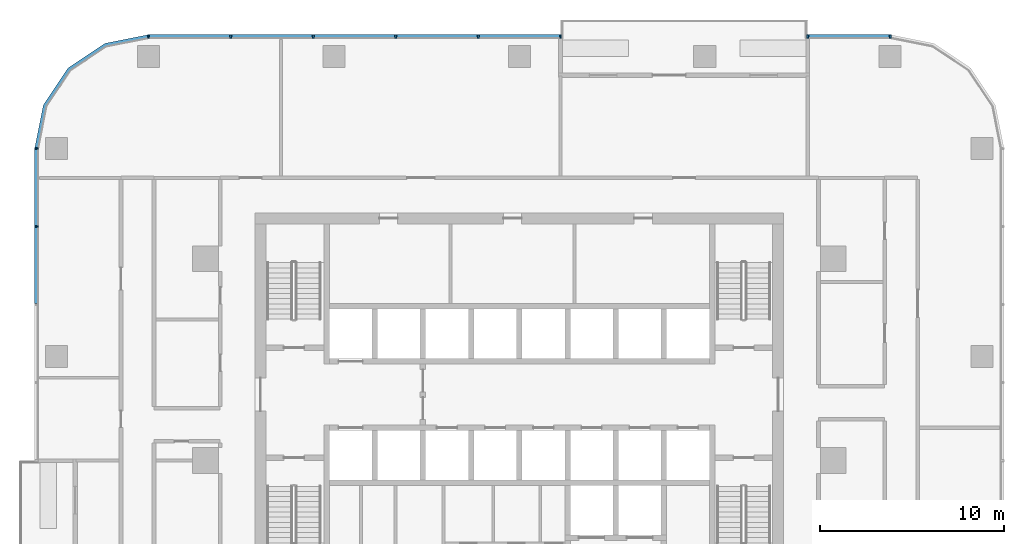
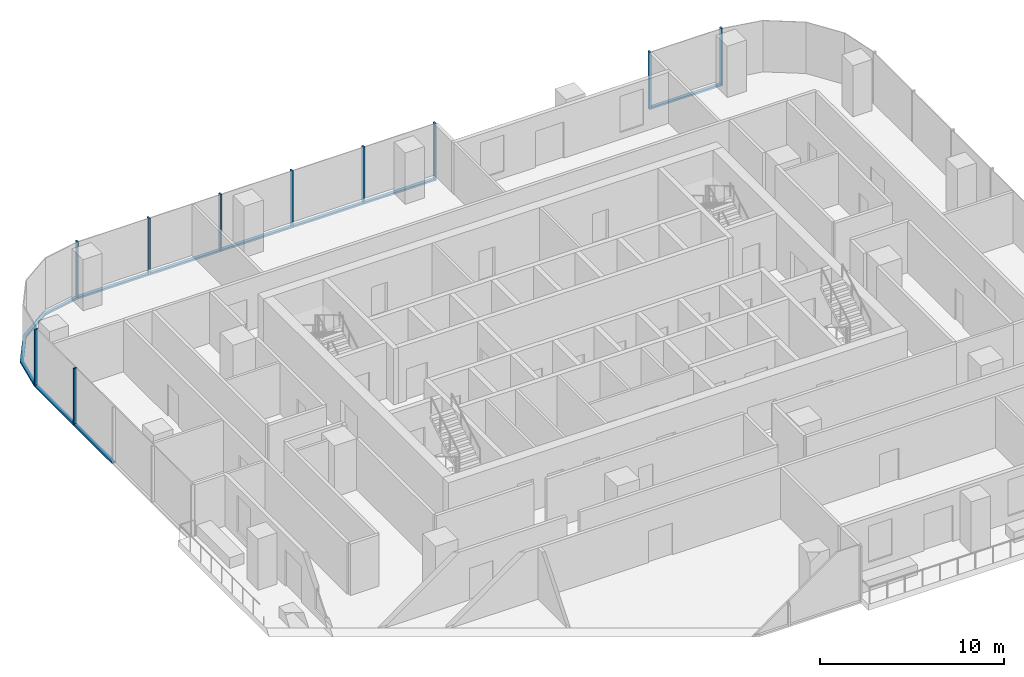
# One storey, part 4 of 14: 19 members, 4 elements without a shape of their own.
"""IFC4 building model written with IfcOpenShell, lengths in metres."""

from ifc_helpers import new_model, si_unit, direction, frame, origin, origin_2d, place, context, subcontext, project, spatial, polyline, rectangle, outline, extrude, material, material_profile, profile_set, type_object, element, aggregate, save


model = new_model("IFC4")

# Units and contexts
model_context = context("Model", 3, precision=1e-05, world=origin(), true_north=direction((0.0, 1.0)))
body_context = subcontext(model_context, "Body", "Model", "MODEL_VIEW")
ifc_project = project(units=[si_unit("LENGTHUNIT", "METRE"), si_unit("AREAUNIT", "SQUARE_METRE"), si_unit("VOLUMEUNIT", "CUBIC_METRE"), si_unit("PLANEANGLEUNIT", "RADIAN"), si_unit("MASSUNIT", "GRAM", prefix="KILO")], contexts=[model_context])

# Site, building, storey
site_placement = place(None, origin())
site = spatial("IfcSite", under=ifc_project, at=site_placement, CompositionType="ELEMENT")
building_placement = place(site_placement, origin())
building = spatial("IfcBuilding", under=site, at=building_placement, Name="Mopane Tessera Tower", CompositionType="ELEMENT")
storey_placement = place(building_placement, frame((0.0, 0.0, 201.0)))
storey = spatial("IfcBuildingStorey", under=building, at=storey_placement, Name="L42", CompositionType="ELEMENT", Elevation=201.0)

# Curtain wall, members
ifc_material_1 = material(Name="Aluminium frame", Category="aluminium")
curtain_wall_type = type_object("IfcCurtainWallType", Name="Unitised curtain wall", PredefinedType="NOTDEFINED", material=ifc_material_1)
curtain_wall_1_placement = place(storey_placement, origin())
curtain_wall_1 = element("IfcCurtainWall", 1, at=curtain_wall_1_placement, inside=storey, type_object=curtain_wall_type, Name="e:cw:L42:N:0", PredefinedType="NOTDEFINED")
ifc_material_2 = material(Name="Aluminium frame", Category="aluminium")
ifc_material_profile_1 = material_profile(ifc_material_2, rectangle(XDim=0.10009765625, YDim=0.199951171875, at=origin_2d()))
ifc_profile_set_1 = profile_set([ifc_material_profile_1], Name="Aluminium frame")
member_type_1 = type_object("IfcMemberType", Name="Aluminium mullion 100 x 200", PredefinedType="MULLION", material=ifc_profile_set_1)
member_1_placement = place(storey_placement, frame((20.199951171875, 23.10009765625, -0.39990234375), z_axis=(0.0, 0.0, 1.0), x_axis=(-1.0, 0.0, 0.0)))
member_1 = element("IfcMember", 2, at=member_1_placement, type_object=member_type_1, Name="e:cw:L42:N:0:mu0", PredefinedType="MULLION", context=body_context, shape_type="SweptSolid", body=[
    extrude(rectangle(XDim=0.10009765625, YDim=0.199951171875, at=origin_2d()), origin(), (0.0, 0.0, 1.0), 3.7998046875),
])
member_2_placement = place(storey_placement, frame((15.711181640625, 23.10009765625, -0.39990234375), z_axis=(0.0, 0.0, 1.0), x_axis=(-1.0, 0.0, 0.0)))
member_2 = element("IfcMember", 3, at=member_2_placement, type_object=member_type_1, Name="e:cw:L42:N:0:mu1", PredefinedType="MULLION", context=body_context, shape_type="SweptSolid", body=[
    extrude(rectangle(XDim=0.10009765625, YDim=0.199951171875, at=origin_2d()), origin(), (0.0, 0.0, 1.0), 3.7998046875),
])

curtain_wall_2_placement = place(storey_placement, origin())
curtain_wall_2 = element("IfcCurtainWall", 4, at=curtain_wall_2_placement, inside=storey, type_object=curtain_wall_type, Name="e:cw:L42:N:4", PredefinedType="NOTDEFINED")
member_3_placement = place(storey_placement, frame((2.244384765625, 23.10009765625, -0.39990234375), z_axis=(0.0, 0.0, 1.0), x_axis=(-1.0, 0.0, 0.0)))
member_3 = element("IfcMember", 5, at=member_3_placement, type_object=member_type_1, Name="e:cw:L42:N:4:mu4", PredefinedType="MULLION", context=body_context, shape_type="SweptSolid", body=[
    extrude(rectangle(XDim=0.10009765625, YDim=0.199951171875, at=origin_2d()), origin(), (0.0, 0.0, 1.0), 3.7998046875),
])
member_4_placement = place(storey_placement, frame((-2.244384765625, 23.10009765625, -0.39990234375), z_axis=(0.0, 0.0, 1.0), x_axis=(-1.0, 0.0, 0.0)))
member_4 = element("IfcMember", 6, at=member_4_placement, type_object=member_type_1, Name="e:cw:L42:N:4:mu5", PredefinedType="MULLION", context=body_context, shape_type="SweptSolid", body=[
    extrude(rectangle(XDim=0.10009765625, YDim=0.199951171875, at=origin_2d()), origin(), (0.0, 0.0, 1.0), 3.7998046875),
])
member_5_placement = place(storey_placement, frame((-6.7333984375, 23.10009765625, -0.39990234375), z_axis=(0.0, 0.0, 1.0), x_axis=(-1.0, 0.0, 0.0)))
member_5 = element("IfcMember", 7, at=member_5_placement, type_object=member_type_1, Name="e:cw:L42:N:4:mu6", PredefinedType="MULLION", context=body_context, shape_type="SweptSolid", body=[
    extrude(rectangle(XDim=0.10009765625, YDim=0.199951171875, at=origin_2d()), origin(), (0.0, 0.0, 1.0), 3.7998046875),
])
member_6_placement = place(storey_placement, frame((-11.22216796875, 23.10009765625, -0.39990234375), z_axis=(0.0, 0.0, 1.0), x_axis=(-1.0, 0.0, 0.0)))
member_6 = element("IfcMember", 8, at=member_6_placement, type_object=member_type_1, Name="e:cw:L42:N:4:mu7", PredefinedType="MULLION", context=body_context, shape_type="SweptSolid", body=[
    extrude(rectangle(XDim=0.10009765625, YDim=0.199951171875, at=origin_2d()), origin(), (0.0, 0.0, 1.0), 3.7998046875),
])
member_7_placement = place(storey_placement, frame((-15.711181640625, 23.10009765625, -0.39990234375), z_axis=(0.0, 0.0, 1.0), x_axis=(-1.0, 0.0, 0.0)))
member_7 = element("IfcMember", 9, at=member_7_placement, type_object=member_type_1, Name="e:cw:L42:N:4:mu8", PredefinedType="MULLION", context=body_context, shape_type="SweptSolid", body=[
    extrude(rectangle(XDim=0.10009765625, YDim=0.199951171875, at=origin_2d()), origin(), (0.0, 0.0, 1.0), 3.7998046875),
])
member_8_placement = place(storey_placement, frame((-20.199951171875, 23.10009765625, -0.39990234375), z_axis=(0.0, 0.0, 1.0), x_axis=(-1.0, 0.0, 0.0)))
member_8 = element("IfcMember", 10, at=member_8_placement, type_object=member_type_1, Name="e:cw:L42:N:4:mu9", PredefinedType="MULLION", context=body_context, shape_type="SweptSolid", body=[
    extrude(rectangle(XDim=0.10009765625, YDim=0.199951171875, at=origin_2d()), origin(), (0.0, 0.0, 1.0), 3.7998046875),
])

curtain_wall_3_placement = place(storey_placement, origin())
curtain_wall_3 = element("IfcCurtainWall", 11, at=curtain_wall_3_placement, inside=storey, type_object=curtain_wall_type, Name="e:cw:L42:W:0", PredefinedType="NOTDEFINED")
member_9_placement = place(storey_placement, frame((-26.300048828125, 17.0, -0.39990234375), z_axis=(0.0, 0.0, 1.0), x_axis=(0.0, -1.0, 0.0)))
member_9 = element("IfcMember", 12, at=member_9_placement, type_object=member_type_1, Name="e:cw:L42:W:0:mu0", PredefinedType="MULLION", context=body_context, shape_type="SweptSolid", body=[
    extrude(rectangle(XDim=0.10009765625, YDim=0.199951171875, at=origin_2d()), origin(), (0.0, 0.0, 1.0), 3.7998046875),
])
member_10_placement = place(storey_placement, frame((-26.300048828125, 12.75, -0.39990234375), z_axis=(0.0, 0.0, 1.0), x_axis=(0.0, -1.0, 0.0)))
member_10 = element("IfcMember", 13, at=member_10_placement, type_object=member_type_1, Name="e:cw:L42:W:0:mu1", PredefinedType="MULLION", context=body_context, shape_type="SweptSolid", body=[
    extrude(rectangle(XDim=0.10009765625, YDim=0.199951171875, at=origin_2d()), origin(), (0.0, 0.0, 1.0), 3.7998046875),
])

# Member
ifc_material_3 = material(Name="Aluminium frame", Category="aluminium")
ifc_material_profile_2 = material_profile(ifc_material_3, rectangle(XDim=0.199951171875, YDim=0.1201171875, at=origin_2d()))
ifc_profile_set_2 = profile_set([ifc_material_profile_2], Name="Aluminium frame")
member_type_2 = type_object("IfcMemberType", Name="Aluminium transom 200 x 120", PredefinedType="USERDEFINED", material=ifc_profile_set_2)
member_11_placement = place(storey_placement, frame((20.14990234375, 23.10009765625, -0.340087890625), z_axis=(-1.0, 0.0, 0.0), x_axis=(0.0, -1.0, 0.0)))
member_11 = element("IfcMember", 14, at=member_11_placement, type_object=member_type_2, Name="e:cw:L42:N:0:tr0", ObjectType="TRANSOM", PredefinedType="USERDEFINED", context=body_context, shape_type="SweptSolid", body=[
    extrude(rectangle(XDim=0.199951171875, YDim=0.1201171875, at=origin_2d()), origin(), (0.0, 0.0, 1.0), 4.388671875),
])

aggregate(curtain_wall_1, [member_1, member_2, member_11])

member_12_placement = place(storey_placement, frame((2.1943359375, 23.10009765625, -0.340087890625), z_axis=(-1.0, 0.0, 0.0), x_axis=(0.0, -1.0, 0.0)))
member_12 = element("IfcMember", 15, at=member_12_placement, type_object=member_type_2, Name="e:cw:L42:N:4:tr4", ObjectType="TRANSOM", PredefinedType="USERDEFINED", context=body_context, shape_type="SweptSolid", body=[
    extrude(rectangle(XDim=0.199951171875, YDim=0.1201171875, at=origin_2d()), origin(), (0.0, 0.0, 1.0), 4.388671875),
])

member_13_placement = place(storey_placement, frame((-2.29443359375, 23.10009765625, -0.340087890625), z_axis=(-1.0, 0.0, 0.0), x_axis=(0.0, -1.0, 0.0)))
member_13 = element("IfcMember", 16, at=member_13_placement, type_object=member_type_2, Name="e:cw:L42:N:4:tr5", ObjectType="TRANSOM", PredefinedType="USERDEFINED", context=body_context, shape_type="SweptSolid", body=[
    extrude(rectangle(XDim=0.199951171875, YDim=0.1201171875, at=origin_2d()), origin(), (0.0, 0.0, 1.0), 4.388916015625),
])

member_14_placement = place(storey_placement, frame((-6.783447265625, 23.10009765625, -0.340087890625), z_axis=(-1.0, 0.0, 0.0), x_axis=(0.0, -1.0, 0.0)))
member_14 = element("IfcMember", 17, at=member_14_placement, type_object=member_type_2, Name="e:cw:L42:N:4:tr6", ObjectType="TRANSOM", PredefinedType="USERDEFINED", context=body_context, shape_type="SweptSolid", body=[
    extrude(rectangle(XDim=0.199951171875, YDim=0.1201171875, at=origin_2d()), origin(), (0.0, 0.0, 1.0), 4.388671875),
])

member_15_placement = place(storey_placement, frame((-11.272216796875, 23.10009765625, -0.340087890625), z_axis=(-1.0, 0.0, 0.0), x_axis=(0.0, -1.0, 0.0)))
member_15 = element("IfcMember", 18, at=member_15_placement, type_object=member_type_2, Name="e:cw:L42:N:4:tr7", ObjectType="TRANSOM", PredefinedType="USERDEFINED", context=body_context, shape_type="SweptSolid", body=[
    extrude(rectangle(XDim=0.199951171875, YDim=0.1201171875, at=origin_2d()), origin(), (0.0, 0.0, 1.0), 4.388916015625),
])

member_16_placement = place(storey_placement, frame((-15.76123046875, 23.10009765625, -0.340087890625), z_axis=(-1.0, 0.0, 0.0), x_axis=(0.0, -1.0, 0.0)))
member_16 = element("IfcMember", 19, at=member_16_placement, type_object=member_type_2, Name="e:cw:L42:N:4:tr8", ObjectType="TRANSOM", PredefinedType="USERDEFINED", context=body_context, shape_type="SweptSolid", body=[
    extrude(rectangle(XDim=0.199951171875, YDim=0.1201171875, at=origin_2d()), origin(), (0.0, 0.0, 1.0), 4.388671875),
])

aggregate(curtain_wall_2, [member_3, member_4, member_5, member_6, member_7, member_8, member_12, member_13, member_14, member_15, member_16])

# Curtain wall, member
curtain_wall_4_placement = place(storey_placement, origin())
curtain_wall_4 = element("IfcCurtainWall", 20, at=curtain_wall_4_placement, inside=storey, type_object=curtain_wall_type, Name="e:cw:L42:CN", PredefinedType="NOTDEFINED")
member_17_placement = place(storey_placement, frame((0.0, 0.0, -0.39990234375)))
member_17 = element("IfcMember", 21, at=member_17_placement, type_object=member_type_2, Name="e:cw:L42:CN:tr", ObjectType="TRANSOM", PredefinedType="USERDEFINED", context=body_context, shape_type="SweptSolid", body=[
    extrude(outline(polyline([(-20.199951171875, 23.0), (-22.49609375, 22.543212890625), (-24.442626953125, 21.24267578125), (-25.7431640625, 19.296142578125), (-26.199951171875, 17.0), (-26.39990234375, 17.0), (-25.927978515625, 19.37255859375), (-24.583984375, 21.384033203125), (-22.57275390625, 22.72802734375), (-20.199951171875, 23.199951171875), (-20.199951171875, 23.0)])), origin(), (0.0, 0.0, 1.0), 0.119873046875),
])
aggregate(curtain_wall_4, [member_17])

# Member
member_18_placement = place(storey_placement, frame((-26.300048828125, 16.949951171875, -0.340087890625), z_axis=(0.0, -1.0, 0.0), x_axis=(1.0, 0.0, 0.0)))
member_18 = element("IfcMember", 22, at=member_18_placement, type_object=member_type_2, Name="e:cw:L42:W:0:tr0", ObjectType="TRANSOM", PredefinedType="USERDEFINED", context=body_context, shape_type="SweptSolid", body=[
    extrude(rectangle(XDim=0.199951171875, YDim=0.1201171875, at=origin_2d()), origin(), (0.0, 0.0, 1.0), 4.14990234375),
])

member_19_placement = place(storey_placement, frame((-26.300048828125, 12.699951171875, -0.340087890625), z_axis=(0.0, -1.0, 0.0), x_axis=(1.0, 0.0, 0.0)))
member_19 = element("IfcMember", 23, at=member_19_placement, type_object=member_type_2, Name="e:cw:L42:W:0:tr1", ObjectType="TRANSOM", PredefinedType="USERDEFINED", context=body_context, shape_type="SweptSolid", body=[
    extrude(rectangle(XDim=0.199951171875, YDim=0.1201171875, at=origin_2d()), origin(), (0.0, 0.0, 1.0), 4.14990234375),
])

aggregate(curtain_wall_3, [member_9, member_10, member_18, member_19])

save(model, "model.ifc")
